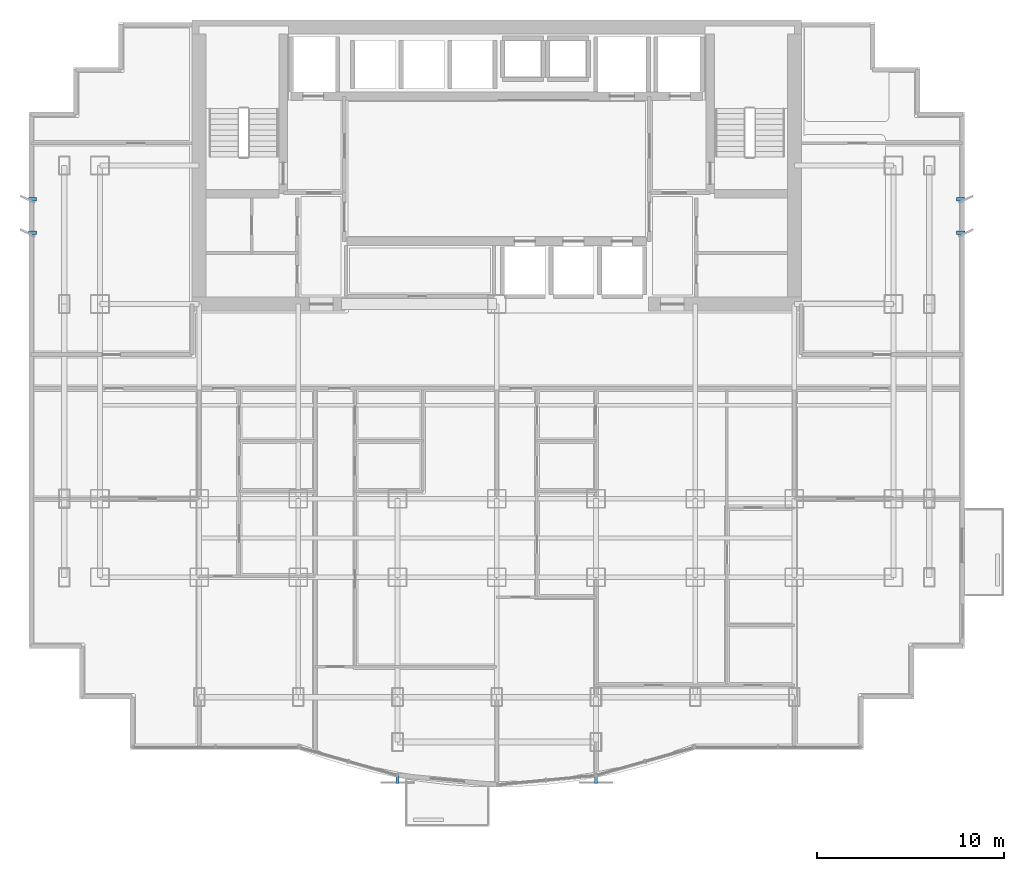
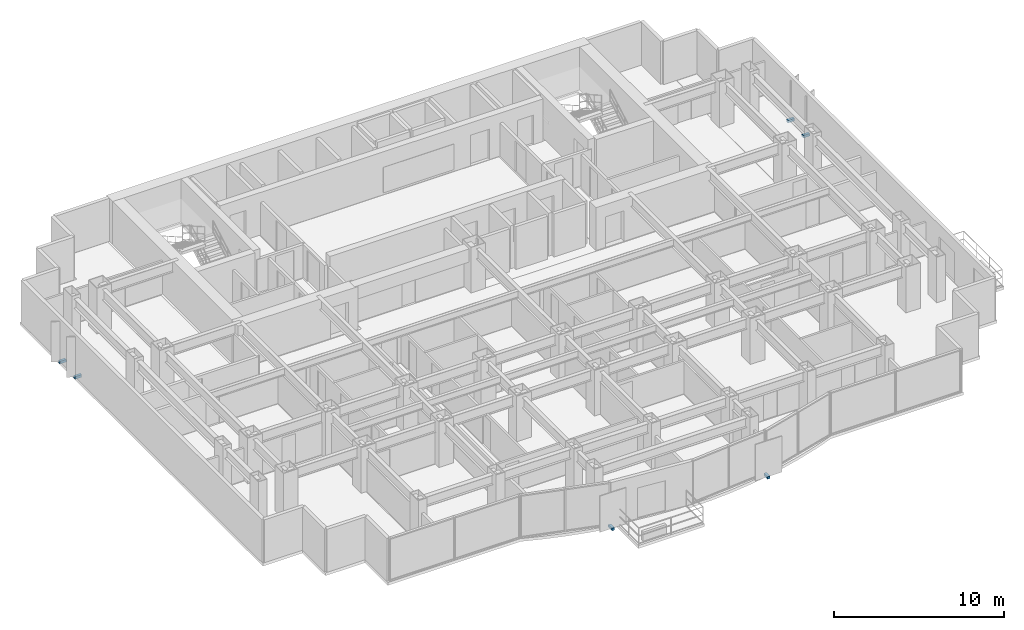
# One storey, part 8 of 10: 6 discrete accessories.
"""IFC4 building model written with IfcOpenShell, lengths in metres."""

from ifc_helpers import new_model, si_unit, direction, frame, origin, origin_2d, place, context, subcontext, project, spatial, rectangle, extrude, source, transform, mapped, material, type_object, element, save


model = new_model("IFC4")

# Units and contexts
model_context = context("Model", 3, precision=1e-05, world=origin(), true_north=direction((0.0, 1.0)))
body_context = subcontext(model_context, "Body", "Model", "MODEL_VIEW")
ifc_project = project(units=[si_unit("LENGTHUNIT", "METRE"), si_unit("AREAUNIT", "SQUARE_METRE"), si_unit("VOLUMEUNIT", "CUBIC_METRE"), si_unit("PLANEANGLEUNIT", "RADIAN"), si_unit("MASSUNIT", "GRAM", prefix="KILO")], contexts=[model_context])

# Site, building, storey
site_placement = place(None, origin())
site = spatial("IfcSite", under=ifc_project, at=site_placement, CompositionType="ELEMENT")
building_placement = place(site_placement, origin())
building = spatial("IfcBuilding", under=site, at=building_placement, Name="Qianlan Lanfeng Residences", CompositionType="ELEMENT")
storey_placement = place(building_placement, frame((0.0, 0.0, 91.60009765625)))
storey = spatial("IfcBuildingStorey", under=building, at=storey_placement, Name="L24", CompositionType="ELEMENT", Elevation=91.60009765625)

# Discrete accessories
ifc_material = material(Name="Stainless Steel Facade Bracket", Category="steel")
discrete_accessory_type = type_object("IfcDiscreteAccessoryType", Name="BRK-SS-350", PredefinedType="BRACKET", material=ifc_material)
shared_shape_1 = source(origin(), body_context, "Body", "SweptSolid", [
    extrude(rectangle(XDim=0.179931640625, YDim=0.449951171875, at=origin_2d()), origin(), (0.0, 0.0, 1.0), 0.179931640625),
])
for number, where, z_axis, x_axis, name in (
    (1, (21.199951171875, -0.199951171875, -0.14990234375), (0.0, 0.0, 1.0), (1.0, 0.0, 0.0), "L24 Solar Screen Support Bracket 1"),
    (2, (31.800048828125, -0.199951171875, -0.14990234375), (0.0, 0.0, 1.0), (1.0, 0.0, 0.0), "L24 Solar Screen Support Bracket 2"),
):
    element("IfcDiscreteAccessory", number, at=place(storey_placement, frame(where, z_axis=z_axis, x_axis=x_axis)), inside=storey, type_object=discrete_accessory_type, Name=name, PredefinedType="BRACKET", context=body_context, shape_type="MappedRepresentation", body=[
        mapped(shared_shape_1, transform((0.0, 0.0, 0.0), scale=1.0)),
    ])
shared_shape_2 = source(origin(), body_context, "Body", "SweptSolid", [
    extrude(rectangle(XDim=0.449951171875, YDim=0.179931640625, at=origin_2d()), origin(), (0.0, 0.0, 1.0), 0.179931640625),
])
for number, where, z_axis, x_axis, name in (
    (3, (1.699951171875, 29.0, -0.14990234375), (0.0, 0.0, 1.0), (1.0, 0.0, 0.0), "L24 Raked Solar Fin Support Bracket W1"),
    (4, (1.699951171875, 30.800048828125, -0.14990234375), (0.0, 0.0, 1.0), (1.0, 0.0, 0.0), "L24 Raked Solar Fin Support Bracket W2"),
    (5, (51.300048828125, 29.0, -0.14990234375), (0.0, 0.0, 1.0), (1.0, 0.0, 0.0), "L24 Raked Solar Fin Support Bracket E1"),
    (6, (51.300048828125, 30.800048828125, -0.14990234375), (0.0, 0.0, 1.0), (1.0, 0.0, 0.0), "L24 Raked Solar Fin Support Bracket E2"),
):
    element("IfcDiscreteAccessory", number, at=place(storey_placement, frame(where, z_axis=z_axis, x_axis=x_axis)), inside=storey, type_object=discrete_accessory_type, Name=name, PredefinedType="BRACKET", context=body_context, shape_type="MappedRepresentation", body=[
        mapped(shared_shape_2, transform((0.0, 0.0, 0.0), scale=1.0)),
    ])

save(model, "model.ifc")
